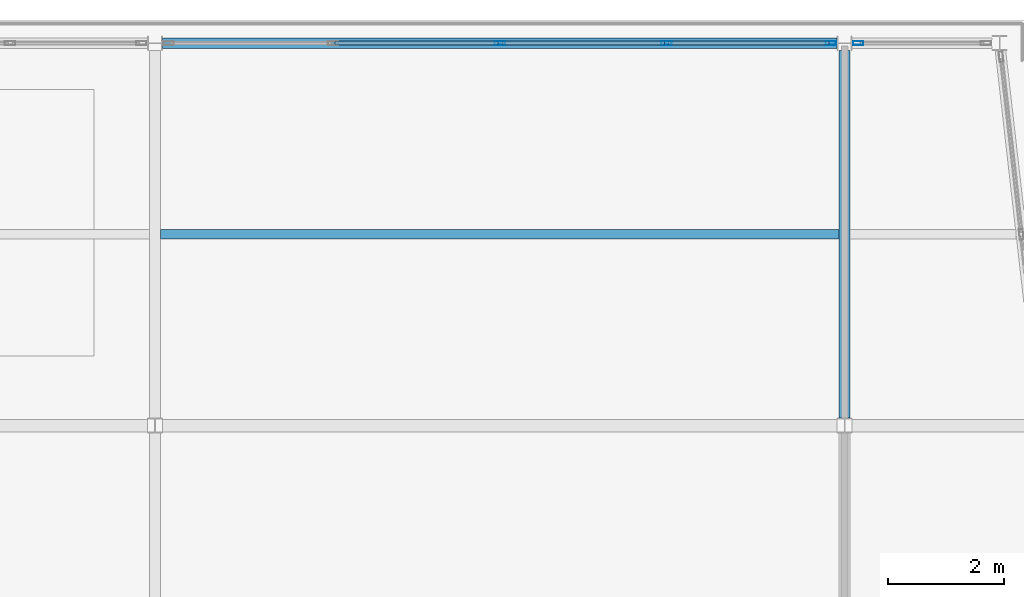
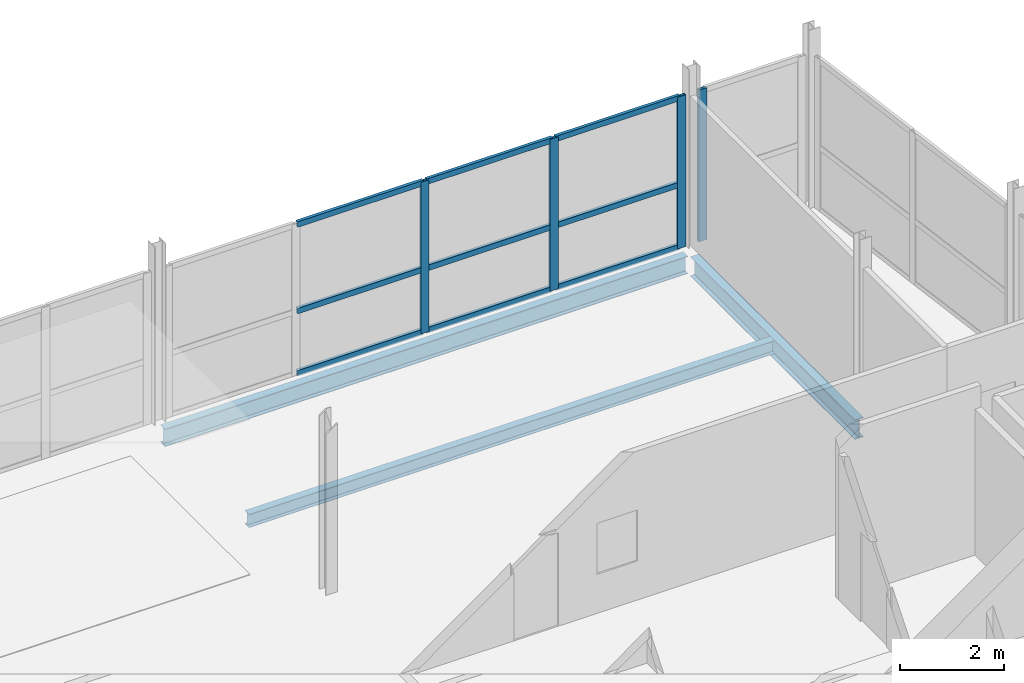
# One storey, part 8 of 14: 13 members, 3 beams, 2 elements without a shape of their own.
"""IFC4 building model written with IfcOpenShell, lengths in metres."""

from ifc_helpers import new_model, si_unit, direction, frame, origin, origin_2d, place, context, subcontext, project, spatial, hollow_rectangle, i_section, extrude, material, layer, layer_set, material_profile, profile_set, type_object, element, aggregate, save


model = new_model("IFC4")

# Units and contexts
model_context = context("Model", 3, precision=1e-05, world=origin(), true_north=direction((0.0, 1.0)))
body_context = subcontext(model_context, "Body", "Model", "MODEL_VIEW")
ifc_project = project(units=[si_unit("LENGTHUNIT", "METRE"), si_unit("AREAUNIT", "SQUARE_METRE"), si_unit("VOLUMEUNIT", "CUBIC_METRE"), si_unit("PLANEANGLEUNIT", "RADIAN"), si_unit("MASSUNIT", "GRAM", prefix="KILO")], contexts=[model_context])

# Site, building, storey
site_placement = place(None, origin())
site = spatial("IfcSite", under=ifc_project, at=site_placement, CompositionType="ELEMENT")
building_placement = place(site_placement, origin())
building = spatial("IfcBuilding", under=site, at=building_placement, Name="Quillay Park Conservatory", CompositionType="ELEMENT")
storey_placement = place(building_placement, frame((0.0, 0.0, 64.5)))
storey = spatial("IfcBuildingStorey", under=building, at=storey_placement, Name="L15", CompositionType="ELEMENT", Elevation=64.5)

# Beam
ifc_material_1 = material(Name="Steel ASTM A992 Grade 50", Category="steel")
ifc_material_profile_1 = material_profile(ifc_material_1, i_section(OverallWidth=0.166015625, OverallDepth=0.31298828125, WebThickness=0.006591796875, FlangeThickness=0.01123046875, FilletRadius=0.010009765625, at=origin_2d()), Name="W310x45")
ifc_profile_set_1 = profile_set([ifc_material_profile_1], Name="Steel ASTM A992 Grade 50")
beam_type_1 = type_object("IfcBeamType", Name="COMPOSITE FLOOR JOIST W310 X45", PredefinedType="JOIST", material=ifc_profile_set_1)
beam_1_placement = place(storey_placement, frame((7.946044921875, 110.10009765625, -0.3564453125), z_axis=(1.0, 0.0, 0.0), x_axis=(0.0, 1.0, 0.0)))
element("IfcBeam", 1, at=beam_1_placement, inside=storey, type_object=beam_type_1, Name="L15 beam BM-J-1047", PredefinedType="JOIST", context=body_context, shape_type="SweptSolid", body=[
    extrude(i_section(OverallWidth=0.166015625, OverallDepth=0.31298828125, WebThickness=0.006591796875, FlangeThickness=0.01123046875, FilletRadius=0.010009765625, at=origin_2d()), origin(), (0.0, 0.0, 1.0), 11.7080078125),
])

# Curtain wall, members
ifc_material_2 = material(Name="Thermally Broken Anodised Aluminium 6063-T6", Category="aluminium")
ifc_layer = layer(ifc_material_2, 0.179931640625)
ifc_layer_set = layer_set([ifc_layer], Name="UNITISED CURTAIN WALL TOWER (Thermally Broken Anodised Aluminium 6063-T6)")
curtain_wall_type = type_object("IfcCurtainWallType", Name="UNITISED CURTAIN WALL TOWER", PredefinedType="USERDEFINED", material=ifc_layer_set)
curtain_wall_1_placement = place(storey_placement, origin())
curtain_wall_1 = element("IfcCurtainWall", 2, at=curtain_wall_1_placement, inside=storey, type_object=curtain_wall_type, Name="L15 Unitised Curtain Wall 145", ObjectType="UNITISED CURTAIN WALL", PredefinedType="USERDEFINED")
ifc_material_3 = material(Name="Thermally Broken Anodised Aluminium 6063-T6", Category="aluminium")
ifc_material_profile_2 = material_profile(ifc_material_3, hollow_rectangle(XDim=0.070068359375, YDim=0.179931640625, WallThickness=0.00390625, at=origin_2d()), Name="AL70x180x4")
ifc_profile_set_2 = profile_set([ifc_material_profile_2], Name="Thermally Broken Anodised Aluminium 6063-T6")
member_type_1 = type_object("IfcMemberType", Name="CURTAIN WALL MULLION 70 X180", PredefinedType="MULLION", material=ifc_profile_set_2)
member_1_placement = place(storey_placement, frame((13.800048828125, 113.39990234375, 0.0), z_axis=(0.0, 0.0, 1.0), x_axis=(0.0, 1.0, 0.0)))
member_1 = element("IfcMember", 3, at=member_1_placement, type_object=member_type_1, Name="CW-T1 mullion 3", PredefinedType="MULLION", context=body_context, shape_type="SweptSolid", body=[
    extrude(hollow_rectangle(XDim=0.070068359375, YDim=0.179931640625, WallThickness=0.00390625, at=origin_2d()), origin(), (0.0, 0.0, 1.0), 3.573974609375),
])
member_2_placement = place(storey_placement, frame((16.675048828125, 113.39990234375, 0.0), z_axis=(0.0, 0.0, 1.0), x_axis=(0.0, 1.0, 0.0)))
member_2 = element("IfcMember", 4, at=member_2_placement, type_object=member_type_1, Name="CW-T1 mullion 4", PredefinedType="MULLION", context=body_context, shape_type="SweptSolid", body=[
    extrude(hollow_rectangle(XDim=0.070068359375, YDim=0.179931640625, WallThickness=0.00390625, at=origin_2d()), origin(), (0.0, 0.0, 1.0), 3.573974609375),
])
member_3_placement = place(storey_placement, frame((19.514892578125, 113.39990234375, 0.0), z_axis=(0.0, 0.0, 1.0), x_axis=(0.0, 1.0, 0.0)))
member_3 = element("IfcMember", 5, at=member_3_placement, type_object=member_type_1, Name="CW-T1 mullion 5", PredefinedType="MULLION", context=body_context, shape_type="SweptSolid", body=[
    extrude(hollow_rectangle(XDim=0.070068359375, YDim=0.179931640625, WallThickness=0.00390625, at=origin_2d()), origin(), (0.0, 0.0, 1.0), 3.573974609375),
])

# Curtain wall, member
curtain_wall_2_placement = place(storey_placement, origin())
curtain_wall_2 = element("IfcCurtainWall", 6, at=curtain_wall_2_placement, inside=storey, type_object=curtain_wall_type, Name="L15 Unitised Curtain Wall 146", ObjectType="UNITISED CURTAIN WALL", PredefinedType="USERDEFINED")
member_4_placement = place(storey_placement, frame((19.985107421875, 113.39990234375, 0.0), z_axis=(0.0, 0.0, 1.0), x_axis=(0.0, 1.0, 0.0)))
member_4 = element("IfcMember", 7, at=member_4_placement, type_object=member_type_1, Name="CW-T1 mullion 1", PredefinedType="MULLION", context=body_context, shape_type="SweptSolid", body=[
    extrude(hollow_rectangle(XDim=0.070068359375, YDim=0.179931640625, WallThickness=0.00390625, at=origin_2d()), origin(), (0.0, 0.0, 1.0), 3.573974609375),
])
aggregate(curtain_wall_2, [member_4])

# Member
ifc_material_4 = material(Name="Thermally Broken Anodised Aluminium 6063-T6", Category="aluminium")
ifc_material_profile_3 = material_profile(ifc_material_4, hollow_rectangle(XDim=0.070068359375, YDim=0.1298828125, WallThickness=0.003173828125, at=origin_2d()), Name="AL70x130x3.2")
ifc_profile_set_3 = profile_set([ifc_material_profile_3], Name="Thermally Broken Anodised Aluminium 6063-T6")
member_type_2 = type_object("IfcMemberType", Name="CURTAIN WALL TRANSOM 70 X130", PredefinedType="USERDEFINED", material=ifc_profile_set_3)
member_5_placement = place(storey_placement, frame((10.9599609375, 113.39990234375, 0.034912109375), z_axis=(1.0, 0.0, 0.0), x_axis=(0.0, 1.0, 0.0)))
member_5 = element("IfcMember", 8, at=member_5_placement, type_object=member_type_2, Name="CW-T1 transom 2.1", ObjectType="TRANSOM", PredefinedType="USERDEFINED", context=body_context, shape_type="SweptSolid", body=[
    extrude(hollow_rectangle(XDim=0.070068359375, YDim=0.1298828125, WallThickness=0.003173828125, at=origin_2d()), origin(), (0.0, 0.0, 1.0), 2.804931640625),
])

member_6_placement = place(storey_placement, frame((10.9599609375, 113.39990234375, 1.501220703125), z_axis=(1.0, 0.0, 0.0), x_axis=(0.0, 1.0, 0.0)))
member_6 = element("IfcMember", 9, at=member_6_placement, type_object=member_type_2, Name="CW-T1 transom 2.2", ObjectType="TRANSOM", PredefinedType="USERDEFINED", context=body_context, shape_type="SweptSolid", body=[
    extrude(hollow_rectangle(XDim=0.070068359375, YDim=0.1298828125, WallThickness=0.003173828125, at=origin_2d()), origin(), (0.0, 0.0, 1.0), 2.804931640625),
])

member_7_placement = place(storey_placement, frame((10.9599609375, 113.39990234375, 3.5390625), z_axis=(1.0, 0.0, 0.0), x_axis=(0.0, 1.0, 0.0)))
member_7 = element("IfcMember", 10, at=member_7_placement, type_object=member_type_2, Name="CW-T1 transom 2.3", ObjectType="TRANSOM", PredefinedType="USERDEFINED", context=body_context, shape_type="SweptSolid", body=[
    extrude(hollow_rectangle(XDim=0.070068359375, YDim=0.1298828125, WallThickness=0.003173828125, at=origin_2d()), origin(), (0.0, 0.0, 1.0), 2.804931640625),
])

member_8_placement = place(storey_placement, frame((13.8349609375, 113.39990234375, 0.034912109375), z_axis=(1.0, 0.0, 0.0), x_axis=(0.0, 1.0, 0.0)))
member_8 = element("IfcMember", 11, at=member_8_placement, type_object=member_type_2, Name="CW-T1 transom 3.1", ObjectType="TRANSOM", PredefinedType="USERDEFINED", context=body_context, shape_type="SweptSolid", body=[
    extrude(hollow_rectangle(XDim=0.070068359375, YDim=0.1298828125, WallThickness=0.003173828125, at=origin_2d()), origin(), (0.0, 0.0, 1.0), 2.804931640625),
])

member_9_placement = place(storey_placement, frame((13.8349609375, 113.39990234375, 1.501220703125), z_axis=(1.0, 0.0, 0.0), x_axis=(0.0, 1.0, 0.0)))
member_9 = element("IfcMember", 12, at=member_9_placement, type_object=member_type_2, Name="CW-T1 transom 3.2", ObjectType="TRANSOM", PredefinedType="USERDEFINED", context=body_context, shape_type="SweptSolid", body=[
    extrude(hollow_rectangle(XDim=0.070068359375, YDim=0.1298828125, WallThickness=0.003173828125, at=origin_2d()), origin(), (0.0, 0.0, 1.0), 2.804931640625),
])

member_10_placement = place(storey_placement, frame((13.8349609375, 113.39990234375, 3.5390625), z_axis=(1.0, 0.0, 0.0), x_axis=(0.0, 1.0, 0.0)))
member_10 = element("IfcMember", 13, at=member_10_placement, type_object=member_type_2, Name="CW-T1 transom 3.3", ObjectType="TRANSOM", PredefinedType="USERDEFINED", context=body_context, shape_type="SweptSolid", body=[
    extrude(hollow_rectangle(XDim=0.070068359375, YDim=0.1298828125, WallThickness=0.003173828125, at=origin_2d()), origin(), (0.0, 0.0, 1.0), 2.804931640625),
])

member_11_placement = place(storey_placement, frame((16.7099609375, 113.39990234375, 0.034912109375), z_axis=(1.0, 0.0, 0.0), x_axis=(0.0, 1.0, 0.0)))
member_11 = element("IfcMember", 14, at=member_11_placement, type_object=member_type_2, Name="CW-T1 transom 4.1", ObjectType="TRANSOM", PredefinedType="USERDEFINED", context=body_context, shape_type="SweptSolid", body=[
    extrude(hollow_rectangle(XDim=0.070068359375, YDim=0.1298828125, WallThickness=0.003173828125, at=origin_2d()), origin(), (0.0, 0.0, 1.0), 2.77001953125),
])

member_12_placement = place(storey_placement, frame((16.7099609375, 113.39990234375, 1.501220703125), z_axis=(1.0, 0.0, 0.0), x_axis=(0.0, 1.0, 0.0)))
member_12 = element("IfcMember", 15, at=member_12_placement, type_object=member_type_2, Name="CW-T1 transom 4.2", ObjectType="TRANSOM", PredefinedType="USERDEFINED", context=body_context, shape_type="SweptSolid", body=[
    extrude(hollow_rectangle(XDim=0.070068359375, YDim=0.1298828125, WallThickness=0.003173828125, at=origin_2d()), origin(), (0.0, 0.0, 1.0), 2.77001953125),
])

member_13_placement = place(storey_placement, frame((16.7099609375, 113.39990234375, 3.5390625), z_axis=(1.0, 0.0, 0.0), x_axis=(0.0, 1.0, 0.0)))
member_13 = element("IfcMember", 16, at=member_13_placement, type_object=member_type_2, Name="CW-T1 transom 4.3", ObjectType="TRANSOM", PredefinedType="USERDEFINED", context=body_context, shape_type="SweptSolid", body=[
    extrude(hollow_rectangle(XDim=0.070068359375, YDim=0.1298828125, WallThickness=0.003173828125, at=origin_2d()), origin(), (0.0, 0.0, 1.0), 2.77001953125),
])

aggregate(curtain_wall_1, [member_1, member_2, member_3, member_5, member_6, member_7, member_8, member_9, member_10, member_11, member_12, member_13])

# Beams
ifc_material_5 = material(Name="Steel ASTM A992 Grade 50", Category="steel")
ifc_material_profile_4 = material_profile(ifc_material_5, i_section(OverallWidth=0.179931640625, OverallDepth=0.4130859375, WebThickness=0.009765625, FlangeThickness=0.01611328125, FilletRadius=0.011962890625, at=origin_2d()), Name="W410x74")
ifc_profile_set_4 = profile_set([ifc_material_profile_4], Name="Steel ASTM A992 Grade 50")
beam_type_2 = type_object("IfcBeamType", Name="PERIMETER SPANDREL BEAM W410 X74", PredefinedType="SPANDREL", material=ifc_profile_set_4)
beam_2_placement = place(storey_placement, frame((7.97998046875, 113.39990234375, -0.406494140625), z_axis=(1.0, 0.0, 0.0), x_axis=(0.0, 1.0, 0.0)))
element("IfcBeam", 17, at=beam_2_placement, inside=storey, type_object=beam_type_2, Name="L15 beam BM-SP-1014", PredefinedType="SPANDREL", context=body_context, shape_type="SweptSolid", body=[
    extrude(i_section(OverallWidth=0.179931640625, OverallDepth=0.4130859375, WebThickness=0.009765625, FlangeThickness=0.01611328125, FilletRadius=0.011962890625, at=origin_2d()), origin(), (0.0, 0.0, 1.0), 11.64013671875),
])
ifc_material_6 = material(Name="Steel ASTM A992 Grade 50", Category="steel")
ifc_material_profile_5 = material_profile(ifc_material_6, i_section(OverallWidth=0.19189453125, OverallDepth=0.462890625, WebThickness=0.010498046875, FlangeThickness=0.017578125, FilletRadius=0.012939453125, at=origin_2d()), Name="W460x89")
ifc_profile_set_5 = profile_set([ifc_material_profile_5], Name="Steel ASTM A992 Grade 50")
beam_type_3 = type_object("IfcBeamType", Name="PRIMARY FLOOR GIRDER W460 X89", PredefinedType="BEAM", material=ifc_profile_set_5)
beam_3_placement = place(storey_placement, frame((19.75, 106.929931640625, -0.431396484375), z_axis=(0.0, 1.0, 0.0), x_axis=(-1.0, 0.0, 0.0)))
element("IfcBeam", 18, at=beam_3_placement, inside=storey, type_object=beam_type_3, Name="L15 beam BM-GNS-1044", PredefinedType="BEAM", context=body_context, shape_type="SweptSolid", body=[
    extrude(i_section(OverallWidth=0.19189453125, OverallDepth=0.462890625, WebThickness=0.010498046875, FlangeThickness=0.017578125, FilletRadius=0.012939453125, at=origin_2d()), origin(), (0.0, 0.0, 1.0), 6.342041015625),
])

save(model, "model.ifc")
